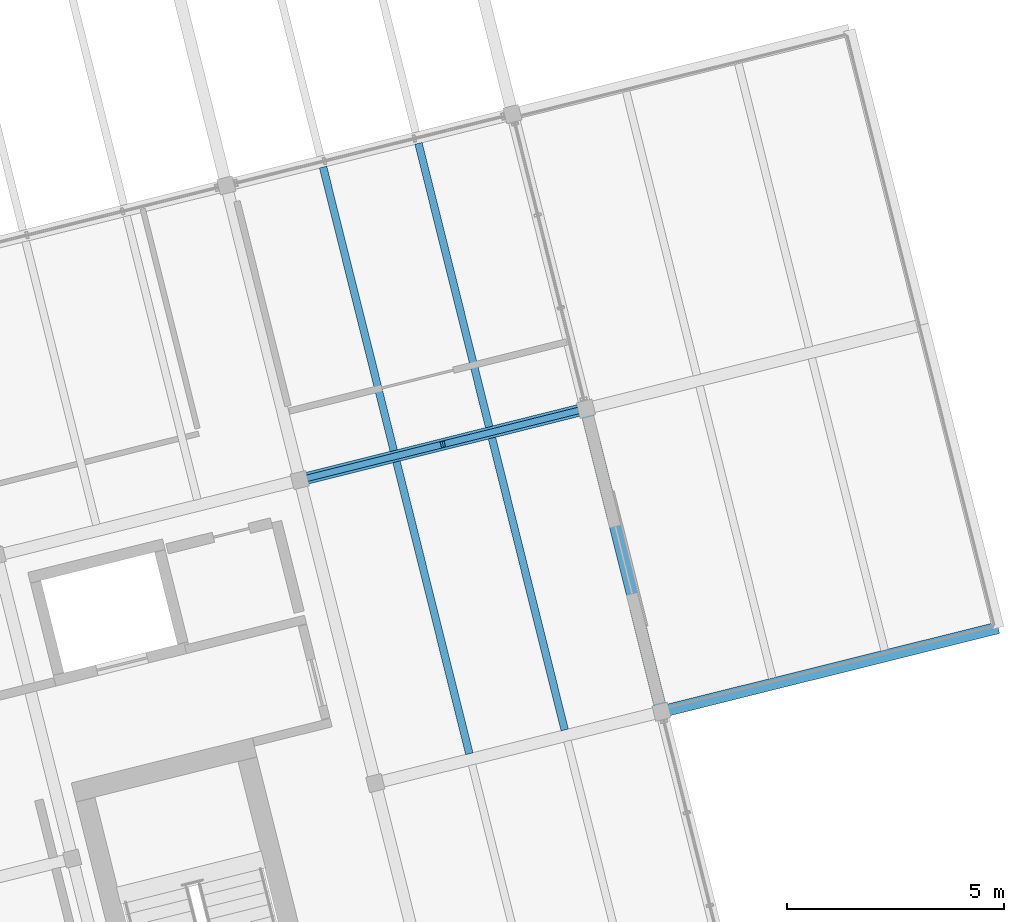
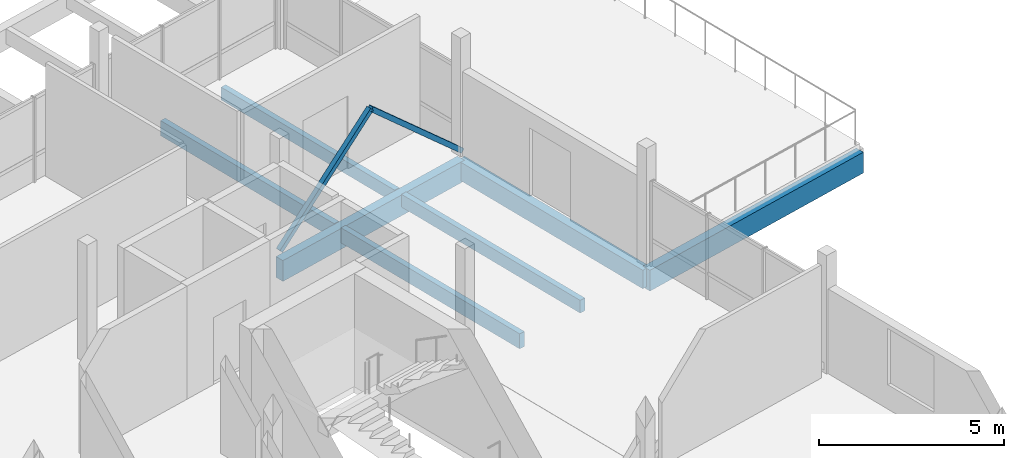
# One storey, part 17 of 28: 7 beams, 2 members.
"""IFC4 building model written with IfcOpenShell, lengths in metres."""

from ifc_helpers import new_model, si_unit, direction, frame, origin, origin_2d, place, context, subcontext, project, spatial, rectangle, hollow_rectangle, extrude, material, material_profile, profile_set, type_object, element, save


model = new_model("IFC4")

# Units and contexts
model_context = context("Model", 3, precision=1e-05, world=origin(), true_north=direction((0.0, 1.0)))
body_context = subcontext(model_context, "Body", "Model", "MODEL_VIEW")
ifc_project = project(units=[si_unit("LENGTHUNIT", "METRE"), si_unit("AREAUNIT", "SQUARE_METRE"), si_unit("VOLUMEUNIT", "CUBIC_METRE"), si_unit("PLANEANGLEUNIT", "RADIAN"), si_unit("MASSUNIT", "GRAM", prefix="KILO")], contexts=[model_context])

# Site, building, storey
site_placement = place(None, origin())
site = spatial("IfcSite", under=ifc_project, at=site_placement, CompositionType="ELEMENT")
building_placement = place(site_placement, origin())
building = spatial("IfcBuilding", under=site, at=building_placement, Name="Meriwether Solvik Hall", CompositionType="ELEMENT")
storey_placement = place(building_placement, frame((0.0, 0.0, 45.60009765625)))
storey = spatial("IfcBuildingStorey", under=building, at=storey_placement, Name="L11", CompositionType="ELEMENT", Elevation=45.60009765625)

# Beams
ifc_material_1 = material(Name="Glulam Douglas-Fir 24F-V8 GL28h", Category="wood")
ifc_material_profile_1 = material_profile(ifc_material_1, rectangle(XDim=0.27294921875, YDim=0.610107421875, at=origin_2d()), Name="GLB-273X610")
ifc_profile_set_1 = profile_set([ifc_material_profile_1], Name="Glulam Douglas-Fir 24F-V8 GL28h")
beam_type_1 = type_object("IfcBeamType", Name="BM-GL-273X610", PredefinedType="SPANDREL", material=ifc_profile_set_1)
beam_1_placement = place(storey_placement, frame((100.192138671875, 63.29931640625, -0.525146484375), z_axis=(-0.241937193493, 0.970291911955, 0.0), x_axis=(-0.970291911955, -0.241937193493, 0.0)))
element("IfcBeam", 1, at=beam_1_placement, inside=storey, type_object=beam_type_1, Name="Tower Girder T6:TC-TD (L11)", PredefinedType="SPANDREL", context=body_context, shape_type="SweptSolid", body=[
    extrude(rectangle(XDim=0.27294921875, YDim=0.610107421875, at=origin_2d()), origin(), (0.0, 0.0, 1.0), 7.199951171875),
])
ifc_material_2 = material(Name="Glulam Douglas-Fir 24F-V8 GL28h", Category="wood")
ifc_material_profile_2 = material_profile(ifc_material_2, rectangle(XDim=0.27294921875, YDim=0.68505859375, at=origin_2d()), Name="GLB-273X685")
ifc_profile_set_2 = profile_set([ifc_material_profile_2], Name="Glulam Douglas-Fir 24F-V8 GL28h")
beam_type_2 = type_object("IfcBeamType", Name="BM-GL-273X685", PredefinedType="BEAM", material=ifc_profile_set_2)
beam_2_placement = place(storey_placement, frame((100.192138671875, 63.29931640625, -0.5625), z_axis=(0.970298475929, 0.241910867076, 0.0), x_axis=(-0.241910867076, 0.970298475929, 0.0)))
element("IfcBeam", 2, at=beam_2_placement, inside=storey, type_object=beam_type_2, Name="Tower Girder TC:T6-T7 (L11)", PredefinedType="BEAM", context=body_context, shape_type="SweptSolid", body=[
    extrude(rectangle(XDim=0.27294921875, YDim=0.68505859375, at=origin_2d()), origin(), (0.0, 0.0, 1.0), 8.0),
])
beam_3_placement = place(storey_placement, frame((91.852294921875, 68.640380859375, -0.5625), z_axis=(0.970296478685, 0.241918877831, 0.0), x_axis=(-0.241918877831, 0.970296478685, 0.0)))
element("IfcBeam", 3, at=beam_3_placement, inside=storey, type_object=beam_type_2, Name="Tower Girder TD:T5-T6 (L11)", PredefinedType="BEAM", context=body_context, shape_type="SweptSolid", body=[
    extrude(rectangle(XDim=0.27294921875, YDim=0.68505859375, at=origin_2d()), origin(), (0.0, 0.0, 1.0), 6.7998046875),
])
ifc_material_3 = material(Name="Glulam Douglas-Fir 24F-V8 GL28h", Category="wood")
ifc_material_profile_3 = material_profile(ifc_material_3, rectangle(XDim=0.175048828125, YDim=0.419921875, at=origin_2d()), Name="GLJ-175X420")
ifc_profile_set_3 = profile_set([ifc_material_profile_3], Name="Glulam Douglas-Fir 24F-V8 GL28h")
beam_type_3 = type_object("IfcBeamType", Name="JST-GL-175X420", PredefinedType="JOIST", material=ifc_profile_set_3)
beam_4_placement = place(storey_placement, frame((97.9609375, 62.87841796875, -0.41015625), z_axis=(-0.241922788949, 0.970295503539, 0.0), x_axis=(-0.970295503539, -0.241922788949, 0.0)))
element("IfcBeam", 4, at=beam_4_placement, inside=storey, type_object=beam_type_3, Name="Glulam Floor Joist T5/TC-J2 (L11)", PredefinedType="JOIST", context=body_context, shape_type="SweptSolid", body=[
    extrude(rectangle(XDim=0.175048828125, YDim=0.419921875, at=origin_2d()), origin(), (0.0, 0.0, 1.0), 6.93701171875),
])
beam_5_placement = place(storey_placement, frame((96.218994140625, 69.86474609375, -0.41015625), z_axis=(-0.241896058636, 0.970302167789, 0.0), x_axis=(-0.970302167789, -0.241896058636, 0.0)))
element("IfcBeam", 5, at=beam_5_placement, inside=storey, type_object=beam_type_3, Name="Glulam Floor Joist T5/TD-J2 (L11)", PredefinedType="JOIST", context=body_context, shape_type="SweptSolid", body=[
    extrude(rectangle(XDim=0.175048828125, YDim=0.419921875, at=origin_2d()), origin(), (0.0, 0.0, 1.0), 6.73681640625),
])
ifc_material_4 = material(Name="Glulam Douglas-Fir 24F-V8 GL28h", Category="wood")
ifc_material_profile_4 = material_profile(ifc_material_4, rectangle(XDim=0.175048828125, YDim=0.4951171875, at=origin_2d()), Name="GLJ-175X495")
ifc_profile_set_4 = profile_set([ifc_material_profile_4], Name="Glulam Douglas-Fir 24F-V8 GL28h")
beam_type_4 = type_object("IfcBeamType", Name="JST-GL-175X495", PredefinedType="JOIST", material=ifc_profile_set_4)
beam_6_placement = place(storey_placement, frame((95.76171875, 62.330078125, -0.447509765625), z_axis=(-0.241922788949, 0.970295503539, 0.0), x_axis=(-0.970295503539, -0.241922788949, 0.0)))
element("IfcBeam", 6, at=beam_6_placement, inside=storey, type_object=beam_type_4, Name="Glulam Floor Joist T5/TC-J1 (L11)", PredefinedType="JOIST", context=body_context, shape_type="SweptSolid", body=[
    extrude(rectangle(XDim=0.175048828125, YDim=0.4951171875, at=origin_2d()), origin(), (0.0, 0.0, 1.0), 6.93701171875),
])
beam_7_placement = place(storey_placement, frame((94.019775390625, 69.31640625, -0.447509765625), z_axis=(-0.241930176813, 0.9702936615, 0.0), x_axis=(-0.9702936615, -0.241930176813, 0.0)))
element("IfcBeam", 7, at=beam_7_placement, inside=storey, type_object=beam_type_4, Name="Glulam Floor Joist T5/TD-J1 (L11)", PredefinedType="JOIST", context=body_context, shape_type="SweptSolid", body=[
    extrude(rectangle(XDim=0.175048828125, YDim=0.4951171875, at=origin_2d()), origin(), (0.0, 0.0, 1.0), 6.737060546875),
])

# Members
ifc_material_5 = material(Name="Steel A500 Grade C", Category="steel")
ifc_material_profile_5 = material_profile(ifc_material_5, hollow_rectangle(XDim=0.152099609375, YDim=0.152099609375, WallThickness=0.009521484375, at=origin_2d()), Name="HSS152X152X9.5")
ifc_profile_set_5 = profile_set([ifc_material_profile_5], Name="Steel A500 Grade C")
member_type = type_object("IfcMemberType", Name="MEM-BR-HSS152", PredefinedType="BRACE", material=ifc_profile_set_5)
member_1_placement = place(storey_placement, frame((91.852294921875, 68.640380859375, 0.0498046875), z_axis=(0.724906074765, 0.180730301627, 0.664716285977), x_axis=(-0.24191045034, 0.970298579828, 0.0)))
element("IfcMember", 8, at=member_1_placement, inside=storey, type_object=member_type, Name="Tower Chevron Brace L11-B4A", PredefinedType="BRACE", context=body_context, shape_type="SweptSolid", body=[
    extrude(hollow_rectangle(XDim=0.152099609375, YDim=0.152099609375, WallThickness=0.009521484375, at=origin_2d()), origin(), (0.0, 0.0, 1.0), 4.551025390625),
])
member_2_placement = place(storey_placement, frame((98.4501953125, 70.285400390625, 0.0498046875), z_axis=(-0.724880618086, -0.180737329953, 0.664742135783), x_axis=(0.241927305891, -0.970294377323, 0.0)))
element("IfcMember", 9, at=member_2_placement, inside=storey, type_object=member_type, Name="Tower Chevron Brace L11-B4B", PredefinedType="BRACE", context=body_context, shape_type="SweptSolid", body=[
    extrude(hollow_rectangle(XDim=0.152099609375, YDim=0.152099609375, WallThickness=0.009521484375, at=origin_2d()), origin(), (0.0, 0.0, 1.0), 4.55078125),
])

save(model, "model.ifc")
